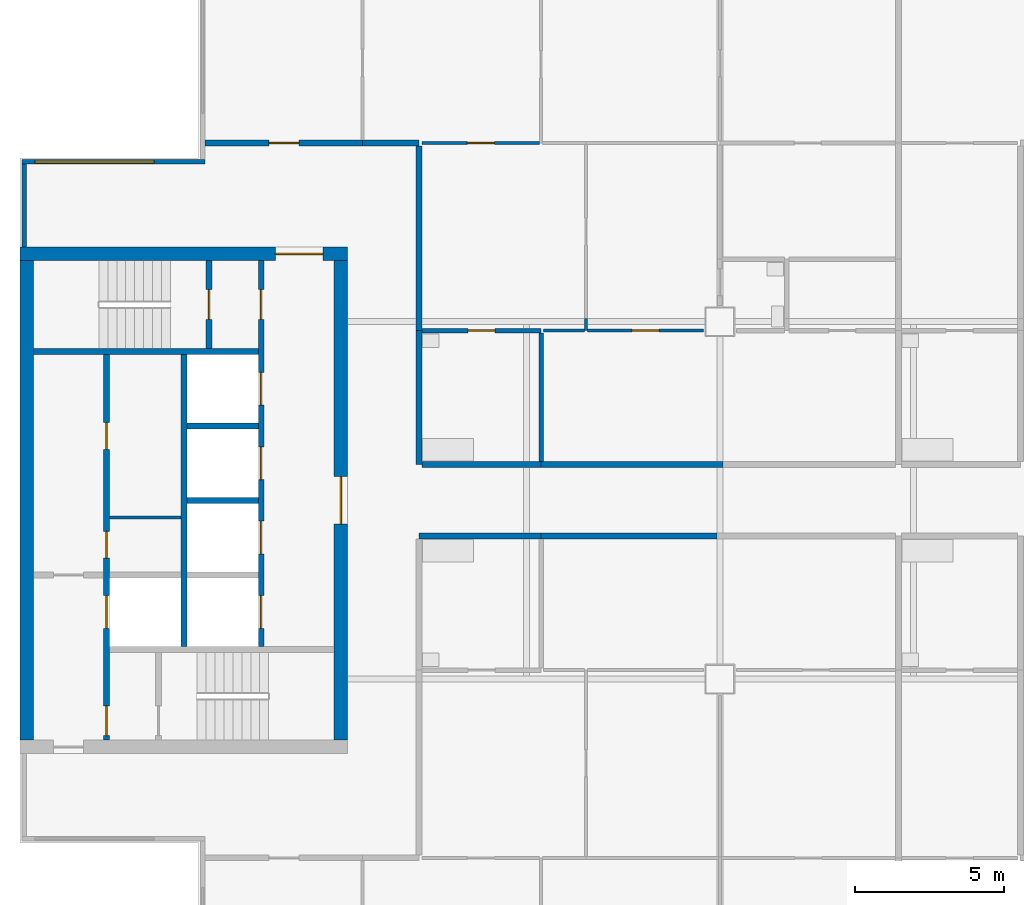
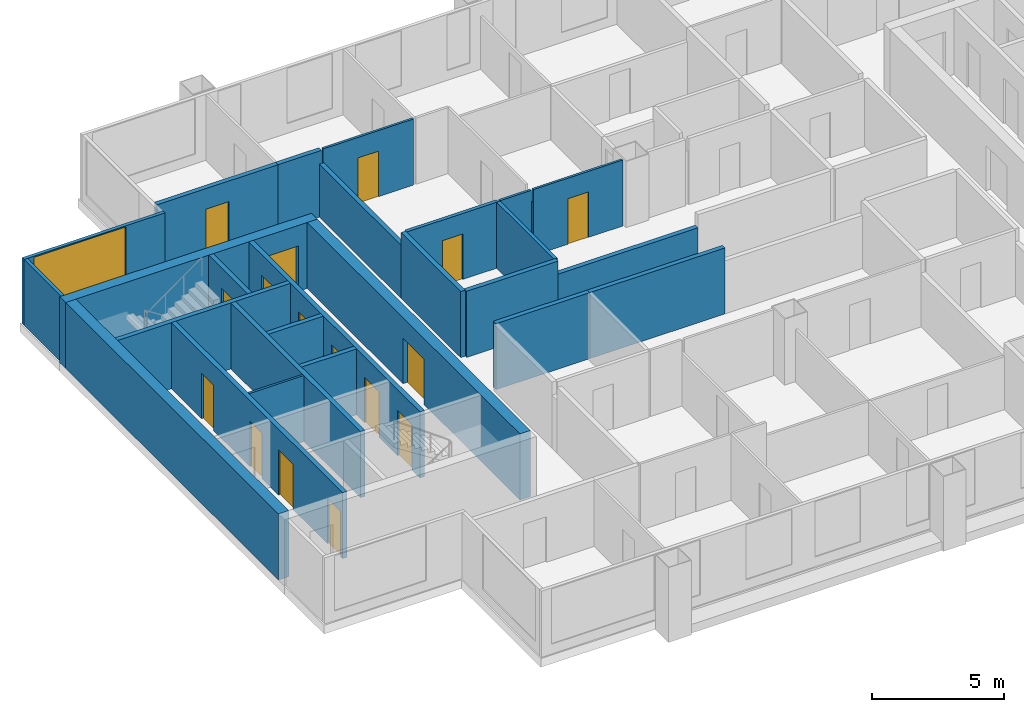
# One storey, part 3 of 8: 27 walls, 16 doors, 1 window, 17 openings.
"""IFC4 building model written with IfcOpenShell, lengths in metres."""

from ifc_helpers import new_model, si_unit, direction, frame, frame_2d, origin, place, context, subcontext, project, spatial, rectangle, extrude, material, layer, layer_set, type_object, element, fill, save


model = new_model("IFC4")

# Units and contexts
model_context = context("Model", 3, precision=1e-05, world=origin(), true_north=direction((0.0, 1.0)))
body_context = subcontext(model_context, "Body", "Model", "MODEL_VIEW")
ifc_project = project(units=[si_unit("LENGTHUNIT", "METRE"), si_unit("AREAUNIT", "SQUARE_METRE"), si_unit("VOLUMEUNIT", "CUBIC_METRE"), si_unit("PLANEANGLEUNIT", "RADIAN"), si_unit("MASSUNIT", "GRAM", prefix="KILO")], contexts=[model_context])

# Site, building, storey
site_placement = place(None, origin())
site = spatial("IfcSite", under=ifc_project, at=site_placement, CompositionType="ELEMENT")
building_placement = place(site_placement, origin())
building = spatial("IfcBuilding", under=site, at=building_placement, Name="Kitamizu Gate Tower and Museum", CompositionType="ELEMENT")
storey_placement = place(building_placement, frame((0.0, 0.0, 262.800048828125)))
storey = spatial("IfcBuildingStorey", under=building, at=storey_placement, Name="L71", CompositionType="ELEMENT", Elevation=262.800048828125)

# Wall, opening, door
ifc_material_1 = material(Name="Concrete Fc42", Category="concrete")
ifc_layer_1 = layer(ifc_material_1, 0.449951171875)
ifc_layer_set_1 = layer_set([ifc_layer_1], Name="Concrete Fc42")
wall_type_1 = type_object("IfcWallType", Name="Core wall 450 EI 90", PredefinedType="SHEAR", material=ifc_layer_set_1)
wall_1_placement = place(storey_placement, frame((12.5, 38.27490234375, 0.0), z_axis=(0.0, 0.0, 1.0), x_axis=(1.0, 0.0, 0.0)))
wall_1 = element("IfcWall", 1, at=wall_1_placement, inside=storey, type_object=wall_type_1, Name="Core wall WN", PredefinedType="SHEAR", context=body_context, shape_type="SweptSolid", body=[
    extrude(rectangle(XDim=11.0, YDim=0.449951171875, at=frame_2d((5.5, 0.0))), origin(), (0.0, 0.0, 1.0), 3.050048828125),
])
opening_1_placement = place(wall_1_placement, frame((8.574951171875, 0.0, 0.0)))
opening_1 = element("IfcOpeningElement", 2, at=opening_1_placement, cuts=wall_1, Name="Opening L71-035", PredefinedType="OPENING", context=body_context, shape_type="SweptSolid", body=[
    extrude(rectangle(XDim=1.60009765625, YDim=2.10009765625, at=frame_2d((0.800048828125, 1.050048828125))), frame((0.0, 0.23486328125, 0.0), z_axis=(0.0, -1.0, 0.0), x_axis=(1.0, 0.0, 0.0)), (0.0, 0.0, 1.0), 0.469970703125),
])
ifc_material_2 = material(Name="Timber door set", Category="wood")
door_type_1 = type_object("IfcDoorType", Name="Entrance door 1600", OperationType="DOUBLE_DOOR_SINGLE_SWING", PredefinedType="DOOR", material=ifc_material_2)
door_1_placement = place(opening_1_placement, origin())
door_1 = element("IfcDoor", 3, at=door_1_placement, inside=storey, type_object=door_type_1, Name="Lobby door L71-035", OperationType="DOUBLE_DOOR_SINGLE_SWING", OverallHeight=2.10009765625, OverallWidth=1.60009765625, PredefinedType="DOOR", context=body_context, shape_type="SweptSolid", body=[
    extrude(rectangle(XDim=1.60009765625, YDim=2.10009765625, at=frame_2d((0.800048828125, 1.050048828125))), frame((0.0, 0.02490234375, 0.0), z_axis=(0.0, -1.0, 0.0), x_axis=(1.0, 0.0, 0.0)), (0.0, 0.0, 1.0), 0.050048828125),
])
fill(opening_1, door_1)

# Wall
wall_2_placement = place(storey_placement, frame((12.72509765625, 21.949951171875, 0.0), z_axis=(0.0, 0.0, 1.0), x_axis=(0.0, 1.0, 0.0)))
element("IfcWall", 4, at=wall_2_placement, inside=storey, type_object=wall_type_1, Name="Core wall WOUT", PredefinedType="SHEAR", context=body_context, shape_type="SweptSolid", body=[
    extrude(rectangle(XDim=16.10009765625, YDim=0.449951171875, at=frame_2d((8.050048828125, 0.0))), origin(), (0.0, 0.0, 1.0), 3.050048828125),
])

# Wall, opening, door
wall_3_placement = place(storey_placement, frame((23.27490234375, 21.949951171875, 0.0), z_axis=(0.0, 0.0, 1.0), x_axis=(0.0, 1.0, 0.0)))
wall_3 = element("IfcWall", 5, at=wall_3_placement, inside=storey, type_object=wall_type_1, Name="Core wall WARC", PredefinedType="SHEAR", context=body_context, shape_type="SweptSolid", body=[
    extrude(rectangle(XDim=16.10009765625, YDim=0.449951171875, at=frame_2d((8.050048828125, 0.0))), origin(), (0.0, 0.0, 1.0), 3.050048828125),
])
opening_2_placement = place(wall_3_placement, frame((7.25, 0.0, 0.0)))
opening_2 = element("IfcOpeningElement", 6, at=opening_2_placement, cuts=wall_3, Name="Opening L71-036", PredefinedType="OPENING", context=body_context, shape_type="SweptSolid", body=[
    extrude(rectangle(XDim=1.60009765625, YDim=2.10009765625, at=frame_2d((0.800048828125, 1.050048828125))), frame((0.0, 0.23486328125, 0.0), z_axis=(0.0, -1.0, 0.0), x_axis=(1.0, 0.0, 0.0)), (0.0, 0.0, 1.0), 0.469970703125),
])
door_2_placement = place(opening_2_placement, origin())
door_2 = element("IfcDoor", 7, at=door_2_placement, inside=storey, type_object=door_type_1, Name="Lobby door L71-036", OperationType="DOUBLE_DOOR_SINGLE_SWING", OverallHeight=2.10009765625, OverallWidth=1.60009765625, PredefinedType="DOOR", context=body_context, shape_type="SweptSolid", body=[
    extrude(rectangle(XDim=1.60009765625, YDim=2.10009765625, at=frame_2d((0.800048828125, 1.050048828125))), frame((0.0, 0.02490234375, 0.0), z_axis=(0.0, -1.0, 0.0), x_axis=(1.0, 0.0, 0.0)), (0.0, 0.0, 1.0), 0.050048828125),
])
fill(opening_2, door_2)

# Wall
ifc_material_3 = material(Name="Gypsum board on galvanised stud")
ifc_layer_2 = layer(ifc_material_3, 0.10009765625)
ifc_layer_set_2 = layer_set([ifc_layer_2], Name="Gypsum board on galvanised stud")
wall_type_2 = type_object("IfcWallType", Name="Partition 100", PredefinedType="PARTITIONING", material=ifc_layer_set_2)
wall_4_placement = place(storey_placement, frame((15.5, 29.425048828125, 0.0), z_axis=(0.0, 0.0, 1.0), x_axis=(1.0, 0.0, 0.0)))
element("IfcWall", 8, at=wall_4_placement, inside=storey, type_object=wall_type_2, Name="Partition WPF1", PredefinedType="PARTITIONING", context=body_context, shape_type="SweptSolid", body=[
    extrude(rectangle(XDim=2.39990234375, YDim=0.10009765625, at=frame_2d((1.199951171875, 0.0))), origin(), (0.0, 0.0, 1.0), 3.050048828125),
])

# Wall, opening, door
ifc_material_4 = material(Name="Gypsum board on galvanised stud")
ifc_layer_3 = layer(ifc_material_4, 0.10009765625)
ifc_layer_set_3 = layer_set([ifc_layer_3], Name="Gypsum board on galvanised stud")
wall_type_3 = type_object("IfcWallType", Name="Partition 100 NOT RATED", PredefinedType="PARTITIONING", material=ifc_layer_set_3)
wall_5_placement = place(storey_placement, frame((26.0, 42.0, 0.0), z_axis=(0.0, 0.0, 1.0), x_axis=(1.0, 0.0, 0.0)))
wall_5 = element("IfcWall", 9, at=wall_5_placement, inside=storey, type_object=wall_type_3, Name="Partition L71-029", PredefinedType="PARTITIONING", context=body_context, shape_type="SweptSolid", body=[
    extrude(rectangle(XDim=3.949951171875, YDim=0.10009765625, at=frame_2d((1.97509765625, 0.0))), origin(), (0.0, 0.0, 1.0), 3.050048828125),
])
opening_3_placement = place(wall_5_placement, frame((1.52490234375, 0.0, 0.0)))
opening_3 = element("IfcOpeningElement", 10, at=opening_3_placement, cuts=wall_5, Name="Opening L71-014", PredefinedType="OPENING", context=body_context, shape_type="SweptSolid", body=[
    extrude(rectangle(XDim=0.89990234375, YDim=2.10009765625, at=frame_2d((0.449951171875, 1.050048828125))), frame((0.0, 0.06005859375, 0.0), z_axis=(0.0, -1.0, 0.0), x_axis=(1.0, 0.0, 0.0)), (0.0, 0.0, 1.0), 0.1201171875),
])
ifc_material_5 = material(Name="Timber door set", Category="wood")
door_type_2 = type_object("IfcDoorType", Name="Room door 900", OperationType="NOTDEFINED", PredefinedType="DOOR", material=ifc_material_5)
door_3_placement = place(opening_3_placement, origin())
door_3 = element("IfcDoor", 11, at=door_3_placement, inside=storey, type_object=door_type_2, Name="Door L71-014", OperationType="SINGLE_SWING_LEFT", OverallHeight=2.10009765625, OverallWidth=0.89990234375, PredefinedType="DOOR", context=body_context, shape_type="SweptSolid", body=[
    extrude(rectangle(XDim=0.89990234375, YDim=2.10009765625, at=frame_2d((0.449951171875, 1.050048828125))), frame((0.0, 0.02490234375, 0.0), z_axis=(0.0, -1.0, 0.0), x_axis=(1.0, 0.0, 0.0)), (0.0, 0.0, 1.0), 0.050048828125),
])
fill(opening_3, door_3)

# Walls
wall_6_placement = place(storey_placement, frame((31.5, 35.699951171875, 0.0), z_axis=(0.0, 0.0, 1.0), x_axis=(0.0, 1.0, 0.0)))
element("IfcWall", 12, at=wall_6_placement, inside=storey, type_object=wall_type_3, Name="Partition L71-036", PredefinedType="PARTITIONING", context=body_context, shape_type="SweptSolid", body=[
    extrude(rectangle(XDim=0.400146484375, YDim=0.10009765625, at=frame_2d((0.2001953125, 0.0))), origin(), (0.0, 0.0, 1.0), 2.449951171875),
])
wall_7_placement = place(storey_placement, frame((30.074951171875, 35.699951171875, 0.0), z_axis=(0.0, 0.0, 1.0), x_axis=(1.0, 0.0, 0.0)))
element("IfcWall", 13, at=wall_7_placement, inside=storey, type_object=wall_type_3, Name="Partition L71-039", PredefinedType="PARTITIONING", context=body_context, shape_type="SweptSolid", body=[
    extrude(rectangle(XDim=1.375, YDim=0.10009765625, at=frame_2d((0.6875, 0.0))), origin(), (0.0, 0.0, 1.0), 3.050048828125),
])

# Wall, opening, door
wall_8_placement = place(storey_placement, frame((31.550048828125, 35.699951171875, 0.0), z_axis=(0.0, 0.0, 1.0), x_axis=(1.0, 0.0, 0.0)))
wall_8 = element("IfcWall", 14, at=wall_8_placement, inside=storey, type_object=wall_type_3, Name="Partition L71-043", PredefinedType="PARTITIONING", context=body_context, shape_type="SweptSolid", body=[
    extrude(rectangle(XDim=3.89990234375, YDim=0.10009765625, at=frame_2d((1.949951171875, 0.0))), origin(), (0.0, 0.0, 1.0), 3.050048828125),
])
opening_4_placement = place(wall_8_placement, frame((1.5, 0.0, 0.0)))
opening_4 = element("IfcOpeningElement", 15, at=opening_4_placement, cuts=wall_8, Name="Opening L71-019", PredefinedType="OPENING", context=body_context, shape_type="SweptSolid", body=[
    extrude(rectangle(XDim=0.89990234375, YDim=2.10009765625, at=frame_2d((0.449951171875, 1.050048828125))), frame((0.0, 0.06005859375, 0.0), z_axis=(0.0, -1.0, 0.0), x_axis=(1.0, 0.0, 0.0)), (0.0, 0.0, 1.0), 0.1201171875),
])
door_4_placement = place(opening_4_placement, origin())
door_4 = element("IfcDoor", 16, at=door_4_placement, inside=storey, type_object=door_type_2, Name="Door L71-019", OperationType="SINGLE_SWING_RIGHT", OverallHeight=2.10009765625, OverallWidth=0.89990234375, PredefinedType="DOOR", context=body_context, shape_type="SweptSolid", body=[
    extrude(rectangle(XDim=0.89990234375, YDim=2.10009765625, at=frame_2d((0.449951171875, 1.050048828125))), frame((0.0, 0.02490234375, 0.0), z_axis=(0.0, -1.0, 0.0), x_axis=(1.0, 0.0, 0.0)), (0.0, 0.0, 1.0), 0.050048828125),
])
fill(opening_4, door_4)

ifc_material_6 = material(Name="Gypsum board on galvanised stud")
ifc_layer_4 = layer(ifc_material_6, 0.14990234375)
ifc_layer_set_4 = layer_set([ifc_layer_4], Name="Gypsum board on galvanised stud")
wall_type_4 = type_object("IfcWallType", Name="Partition 150", PredefinedType="PARTITIONING", material=ifc_layer_set_4)
wall_9_placement = place(storey_placement, frame((26.0, 35.699951171875, 0.0), z_axis=(0.0, 0.0, 1.0), x_axis=(1.0, 0.0, 0.0)))
wall_9 = element("IfcWall", 17, at=wall_9_placement, inside=storey, type_object=wall_type_4, Name="Partition L71-038", PredefinedType="PARTITIONING", context=body_context, shape_type="SweptSolid", body=[
    extrude(rectangle(XDim=4.0, YDim=0.14990234375, at=frame_2d((2.0, 0.0))), origin(), (0.0, 0.0, 1.0), 3.050048828125),
])
opening_5_placement = place(wall_9_placement, frame((1.550048828125, 0.0, 0.0)))
opening_5 = element("IfcOpeningElement", 18, at=opening_5_placement, cuts=wall_9, Name="Opening L71-018", PredefinedType="OPENING", context=body_context, shape_type="SweptSolid", body=[
    extrude(rectangle(XDim=0.89990234375, YDim=2.10009765625, at=frame_2d((0.449951171875, 1.050048828125))), frame((0.0, 0.0849609375, 0.0), z_axis=(0.0, -1.0, 0.0), x_axis=(1.0, 0.0, 0.0)), (0.0, 0.0, 1.0), 0.169921875),
])
ifc_material_7 = material(Name="Timber door set", Category="wood")
door_type_3 = type_object("IfcDoorType", Name="Bathroom door 900", OperationType="NOTDEFINED", PredefinedType="DOOR", material=ifc_material_7)
door_5_placement = place(opening_5_placement, frame((0.89990234375, 0.0, 0.0), x_axis=(-1.0, 0.0, 0.0)))
door_5 = element("IfcDoor", 19, at=door_5_placement, inside=storey, type_object=door_type_3, Name="Bathroom door L71-018", OperationType="SINGLE_SWING_RIGHT", OverallHeight=2.10009765625, OverallWidth=0.89990234375, PredefinedType="DOOR", context=body_context, shape_type="SweptSolid", body=[
    extrude(rectangle(XDim=0.89990234375, YDim=2.10009765625, at=frame_2d((0.449951171875, 1.050048828125))), frame((0.0, 0.02490234375, 0.0), z_axis=(0.0, -1.0, 0.0), x_axis=(1.0, 0.0, 0.0)), (0.0, 0.0, 1.0), 0.050048828125),
])
fill(opening_5, door_5)

# Walls
wall_10_placement = place(storey_placement, frame((30.0, 31.300048828125, 0.0), z_axis=(0.0, 0.0, 1.0), x_axis=(0.0, 1.0, 0.0)))
element("IfcWall", 20, at=wall_10_placement, inside=storey, type_object=wall_type_4, Name="Partition L71-053", PredefinedType="PARTITIONING", context=body_context, shape_type="SweptSolid", body=[
    extrude(rectangle(XDim=4.324951171875, YDim=0.14990234375, at=frame_2d((2.16259765625, 0.0))), origin(), (0.0, 0.0, 1.0), 3.050048828125),
])
ifc_material_8 = material(Name="Gypsum board on galvanised stud")
ifc_layer_5 = layer(ifc_material_8, 0.199951171875)
ifc_layer_set_5 = layer_set([ifc_layer_5], Name="Gypsum board on galvanised stud")
wall_type_5 = type_object("IfcWallType", Name="Partition 200", PredefinedType="PARTITIONING", material=ifc_layer_set_5)
wall_11_placement = place(storey_placement, frame((30.0, 28.800048828125, 0.0), z_axis=(0.0, 0.0, 1.0), x_axis=(-1.0, 0.0, 0.0)))
element("IfcWall", 21, at=wall_11_placement, inside=storey, type_object=wall_type_5, Name="Partition L71-021", PredefinedType="PARTITIONING", context=body_context, shape_type="SweptSolid", body=[
    extrude(rectangle(XDim=4.10009765625, YDim=0.199951171875, at=frame_2d((2.050048828125, 0.0))), origin(), (0.0, 0.0, 1.0), 3.050048828125),
])
wall_12_placement = place(storey_placement, frame((35.89990234375, 28.800048828125, 0.0), z_axis=(0.0, 0.0, 1.0), x_axis=(-1.0, 0.0, 0.0)))
element("IfcWall", 22, at=wall_12_placement, inside=storey, type_object=wall_type_5, Name="Partition L71-025", PredefinedType="PARTITIONING", context=body_context, shape_type="SweptSolid", body=[
    extrude(rectangle(XDim=5.89990234375, YDim=0.199951171875, at=frame_2d((2.949951171875, 0.0))), origin(), (0.0, 0.0, 1.0), 3.050048828125),
])

# Wall, opening, door
wall_13_placement = place(storey_placement, frame((18.719970703125, 42.0, 0.0), z_axis=(0.0, 0.0, 1.0), x_axis=(1.0, 0.0, 0.0)))
wall_13 = element("IfcWall", 23, at=wall_13_placement, inside=storey, type_object=wall_type_5, Name="Partition L71-027", PredefinedType="PARTITIONING", context=body_context, shape_type="SweptSolid", body=[
    extrude(rectangle(XDim=5.280029296875, YDim=0.199951171875, at=frame_2d((2.64013671875, 0.0))), origin(), (0.0, 0.0, 1.0), 3.050048828125),
])
opening_6_placement = place(wall_13_placement, frame((2.139892578125, 0.0, 0.0)))
opening_6 = element("IfcOpeningElement", 24, at=opening_6_placement, cuts=wall_13, Name="Opening L71-010", PredefinedType="OPENING", context=body_context, shape_type="SweptSolid", body=[
    extrude(rectangle(XDim=1.0, YDim=2.10009765625, at=frame_2d((0.5, 1.050048828125))), frame((0.0, 0.10986328125, 0.0), z_axis=(0.0, -1.0, 0.0), x_axis=(1.0, 0.0, 0.0)), (0.0, 0.0, 1.0), 0.219970703125),
])
ifc_material_9 = material(Name="Timber door set", Category="wood")
door_type_4 = type_object("IfcDoorType", Name="Flat entrance door 1000", OperationType="NOTDEFINED", PredefinedType="DOOR", material=ifc_material_9)
door_6_placement = place(opening_6_placement, origin())
door_6 = element("IfcDoor", 25, at=door_6_placement, inside=storey, type_object=door_type_4, Name="Flat entrance door L71-010", OperationType="SINGLE_SWING_LEFT", OverallHeight=2.10009765625, OverallWidth=1.0, PredefinedType="DOOR", context=body_context, shape_type="SweptSolid", body=[
    extrude(rectangle(XDim=1.0, YDim=2.10009765625, at=frame_2d((0.5, 1.050048828125))), frame((0.0, 0.02490234375, 0.0), z_axis=(0.0, -1.0, 0.0), x_axis=(1.0, 0.0, 0.0)), (0.0, 0.0, 1.0), 0.050048828125),
])
fill(opening_6, door_6)

# Walls
wall_14_placement = place(storey_placement, frame((24.0, 42.0, 0.0), z_axis=(0.0, 0.0, 1.0), x_axis=(1.0, 0.0, 0.0)))
element("IfcWall", 26, at=wall_14_placement, inside=storey, type_object=wall_type_5, Name="Partition L71-030", PredefinedType="PARTITIONING", context=body_context, shape_type="SweptSolid", body=[
    extrude(rectangle(XDim=1.89990234375, YDim=0.199951171875, at=frame_2d((0.949951171875, 0.0))), origin(), (0.0, 0.0, 1.0), 3.050048828125),
])
wall_15_placement = place(storey_placement, frame((25.89990234375, 41.89990234375, 0.0), z_axis=(0.0, 0.0, 1.0), x_axis=(0.0, -1.0, 0.0)))
element("IfcWall", 27, at=wall_15_placement, inside=storey, type_object=wall_type_5, Name="Partition L71-040", PredefinedType="PARTITIONING", context=body_context, shape_type="SweptSolid", body=[
    extrude(rectangle(XDim=6.199951171875, YDim=0.199951171875, at=frame_2d((3.10009765625, 0.0))), origin(), (0.0, 0.0, 1.0), 2.449951171875),
])
wall_16_placement = place(storey_placement, frame((25.89990234375, 35.699951171875, 0.0), z_axis=(0.0, 0.0, 1.0), x_axis=(0.0, -1.0, 0.0)))
element("IfcWall", 28, at=wall_16_placement, inside=storey, type_object=wall_type_5, Name="Partition L71-054", PredefinedType="PARTITIONING", context=body_context, shape_type="SweptSolid", body=[
    extrude(rectangle(XDim=4.5, YDim=0.199951171875, at=frame_2d((2.25, 0.0))), origin(), (0.0, 0.0, 1.0), 3.050048828125),
])
wall_17_placement = place(storey_placement, frame((26.0, 31.199951171875, 0.0), z_axis=(0.0, 0.0, 1.0), x_axis=(1.0, 0.0, 0.0)))
element("IfcWall", 29, at=wall_17_placement, inside=storey, type_object=wall_type_5, Name="Partition L71-055", PredefinedType="PARTITIONING", context=body_context, shape_type="SweptSolid", body=[
    extrude(rectangle(XDim=4.0, YDim=0.199951171875, at=frame_2d((2.0, 0.0))), origin(), (0.0, 0.0, 1.0), 3.050048828125),
])
wall_18_placement = place(storey_placement, frame((30.0, 31.199951171875, 0.0), z_axis=(0.0, 0.0, 1.0), x_axis=(1.0, 0.0, 0.0)))
element("IfcWall", 30, at=wall_18_placement, inside=storey, type_object=wall_type_5, Name="Partition L71-057", PredefinedType="PARTITIONING", context=body_context, shape_type="SweptSolid", body=[
    extrude(rectangle(XDim=6.10009765625, YDim=0.199951171875, at=frame_2d((3.050048828125, 0.0))), origin(), (0.0, 0.0, 1.0), 2.449951171875),
])

# Wall, openings, doors
ifc_material_10 = material(Name="Concrete Fc42", Category="concrete")
ifc_layer_6 = layer(ifc_material_10, 0.199951171875)
ifc_layer_set_6 = layer_set([ifc_layer_6], Name="Concrete Fc42")
wall_type_6 = type_object("IfcWallType", Name="Shaft wall 200", PredefinedType="SOLIDWALL", material=ifc_layer_set_6)
wall_19_placement = place(storey_placement, frame((15.39990234375, 21.949951171875, 0.0), z_axis=(0.0, 0.0, 1.0), x_axis=(0.0, 1.0, 0.0)))
wall_19 = element("IfcWall", 31, at=wall_19_placement, inside=storey, type_object=wall_type_6, Name="Shaft wall WWEST", PredefinedType="SOLIDWALL", context=body_context, shape_type="SweptSolid", body=[
    extrude(rectangle(XDim=12.949951171875, YDim=0.199951171875, at=frame_2d((6.47509765625, 0.0))), origin(), (0.0, 0.0, 1.0), 3.050048828125),
])
opening_7_placement = place(wall_19_placement, frame((3.75, 0.0, 0.0)))
opening_7 = element("IfcOpeningElement", 32, at=opening_7_placement, cuts=wall_19, Name="Opening LD", PredefinedType="OPENING", context=body_context, shape_type="SweptSolid", body=[
    extrude(rectangle(XDim=1.10009765625, YDim=2.10009765625, at=frame_2d((0.550048828125, 1.050048828125))), frame((0.0, 0.10986328125, 0.0), z_axis=(0.0, -1.0, 0.0), x_axis=(1.0, 0.0, 0.0)), (0.0, 0.0, 1.0), 0.219970703125),
])
opening_8_placement = place(wall_19_placement, frame((0.14990234375, 0.0, 0.0)))
opening_8 = element("IfcOpeningElement", 33, at=opening_8_placement, cuts=wall_19, Name="Opening L71-030", PredefinedType="OPENING", context=body_context, shape_type="SweptSolid", body=[
    extrude(rectangle(XDim=1.0, YDim=2.10009765625, at=frame_2d((0.5, 1.050048828125))), frame((0.0, 0.10986328125, 0.0), z_axis=(0.0, -1.0, 0.0), x_axis=(1.0, 0.0, 0.0)), (0.0, 0.0, 1.0), 0.219970703125),
])
opening_9_placement = place(wall_19_placement, frame((6.112548828125, 0.0, 0.0)))
opening_9 = element("IfcOpeningElement", 34, at=opening_9_placement, cuts=wall_19, Name="Opening L71-037", PredefinedType="OPENING", context=body_context, shape_type="SweptSolid", body=[
    extrude(rectangle(XDim=0.89990234375, YDim=2.10009765625, at=frame_2d((0.449951171875, 1.050048828125))), frame((0.0, 0.10986328125, 0.0), z_axis=(0.0, -1.0, 0.0), x_axis=(1.0, 0.0, 0.0)), (0.0, 0.0, 1.0), 0.219970703125),
])
opening_10_placement = place(wall_19_placement, frame((9.762451171875, 0.0, 0.0)))
opening_10 = element("IfcOpeningElement", 35, at=opening_10_placement, cuts=wall_19, Name="Opening L71-038", PredefinedType="OPENING", context=body_context, shape_type="SweptSolid", body=[
    extrude(rectangle(XDim=0.89990234375, YDim=2.10009765625, at=frame_2d((0.449951171875, 1.050048828125))), frame((0.0, 0.10986328125, 0.0), z_axis=(0.0, -1.0, 0.0), x_axis=(1.0, 0.0, 0.0)), (0.0, 0.0, 1.0), 0.219970703125),
])
ifc_material_11 = material(Name="Hollow metal door set")
door_type_5 = type_object("IfcDoorType", Name="Fire door 1000", OperationType="NOTDEFINED", PredefinedType="DOOR", material=ifc_material_11)
door_7_placement = place(opening_8_placement, frame((1.0, 0.0, 0.0), x_axis=(-1.0, 0.0, 0.0)))
door_7 = element("IfcDoor", 36, at=door_7_placement, inside=storey, type_object=door_type_5, Name="Stair lobby door L71-030", OperationType="SINGLE_SWING_LEFT", OverallHeight=2.10009765625, OverallWidth=1.0, PredefinedType="DOOR", context=body_context, shape_type="SweptSolid", body=[
    extrude(rectangle(XDim=1.0, YDim=2.10009765625, at=frame_2d((0.5, 1.050048828125))), frame((0.0, 0.02490234375, 0.0), z_axis=(0.0, -1.0, 0.0), x_axis=(1.0, 0.0, 0.0)), (0.0, 0.0, 1.0), 0.050048828125),
])
fill(opening_8, door_7)
ifc_material_12 = material(Name="Hollow metal door set")
door_type_6 = type_object("IfcDoorType", Name="Landing door 1100", OperationType="SLIDING_TO_LEFT", PredefinedType="DOOR", material=ifc_material_12)
door_8_placement = place(opening_7_placement, origin())
door_8 = element("IfcDoor", 37, at=door_8_placement, inside=storey, type_object=door_type_6, Name="Landing door WFF1", OperationType="SLIDING_TO_LEFT", OverallHeight=2.10009765625, OverallWidth=1.10009765625, PredefinedType="DOOR", context=body_context, shape_type="SweptSolid", body=[
    extrude(rectangle(XDim=1.10009765625, YDim=2.10009765625, at=frame_2d((0.550048828125, 1.050048828125))), frame((0.0, 0.02490234375, 0.0), z_axis=(0.0, -1.0, 0.0), x_axis=(1.0, 0.0, 0.0)), (0.0, 0.0, 1.0), 0.050048828125),
])
fill(opening_7, door_8)
ifc_material_13 = material(Name="Timber door set", Category="wood")
door_type_7 = type_object("IfcDoorType", Name="Service door 900", OperationType="NOTDEFINED", PredefinedType="DOOR", material=ifc_material_13)
door_9_placement = place(opening_9_placement, frame((0.89990234375, 0.0, 0.0), x_axis=(-1.0, 0.0, 0.0)))
door_9 = element("IfcDoor", 38, at=door_9_placement, inside=storey, type_object=door_type_7, Name="Service door L71-037", OperationType="SINGLE_SWING_LEFT", OverallHeight=2.10009765625, OverallWidth=0.89990234375, PredefinedType="DOOR", context=body_context, shape_type="SweptSolid", body=[
    extrude(rectangle(XDim=0.89990234375, YDim=2.10009765625, at=frame_2d((0.449951171875, 1.050048828125))), frame((0.0, 0.02490234375, 0.0), z_axis=(0.0, -1.0, 0.0), x_axis=(1.0, 0.0, 0.0)), (0.0, 0.0, 1.0), 0.050048828125),
])
fill(opening_9, door_9)
door_10_placement = place(opening_10_placement, frame((0.89990234375, 0.0, 0.0), x_axis=(-1.0, 0.0, 0.0)))
door_10 = element("IfcDoor", 39, at=door_10_placement, inside=storey, type_object=door_type_7, Name="Service door L71-038", OperationType="SINGLE_SWING_RIGHT", OverallHeight=2.10009765625, OverallWidth=0.89990234375, PredefinedType="DOOR", context=body_context, shape_type="SweptSolid", body=[
    extrude(rectangle(XDim=0.89990234375, YDim=2.10009765625, at=frame_2d((0.449951171875, 1.050048828125))), frame((0.0, 0.02490234375, 0.0), z_axis=(0.0, -1.0, 0.0), x_axis=(1.0, 0.0, 0.0)), (0.0, 0.0, 1.0), 0.050048828125),
])
fill(opening_10, door_10)

wall_20_placement = place(storey_placement, frame((20.60009765625, 25.10009765625, 0.0), z_axis=(0.0, 0.0, 1.0), x_axis=(0.0, 1.0, 0.0)))
wall_20 = element("IfcWall", 40, at=wall_20_placement, inside=storey, type_object=wall_type_6, Name="Shaft wall WEAST", PredefinedType="SOLIDWALL", context=body_context, shape_type="SweptSolid", body=[
    extrude(rectangle(XDim=12.949951171875, YDim=0.199951171875, at=frame_2d((6.47509765625, 0.0))), origin(), (0.0, 0.0, 1.0), 3.050048828125),
])
opening_11_placement = place(wall_20_placement, frame((0.60009765625, 0.0, 0.0)))
opening_11 = element("IfcOpeningElement", 41, at=opening_11_placement, cuts=wall_20, Name="Opening LD", PredefinedType="OPENING", context=body_context, shape_type="SweptSolid", body=[
    extrude(rectangle(XDim=1.10009765625, YDim=2.10009765625, at=frame_2d((0.550048828125, 1.050048828125))), frame((0.0, 0.10986328125, 0.0), z_axis=(0.0, -1.0, 0.0), x_axis=(1.0, 0.0, 0.0)), (0.0, 0.0, 1.0), 0.219970703125),
])
opening_12_placement = place(wall_20_placement, frame((3.10009765625, 0.0, 0.0)))
opening_12 = element("IfcOpeningElement", 42, at=opening_12_placement, cuts=wall_20, Name="Opening LD", PredefinedType="OPENING", context=body_context, shape_type="SweptSolid", body=[
    extrude(rectangle(XDim=1.10009765625, YDim=2.10009765625, at=frame_2d((0.550048828125, 1.050048828125))), frame((0.0, 0.10986328125, 0.0), z_axis=(0.0, -1.0, 0.0), x_axis=(1.0, 0.0, 0.0)), (0.0, 0.0, 1.0), 0.219970703125),
])
opening_13_placement = place(wall_20_placement, frame((5.60009765625, 0.0, 0.0)))
opening_13 = element("IfcOpeningElement", 43, at=opening_13_placement, cuts=wall_20, Name="Opening LD", PredefinedType="OPENING", context=body_context, shape_type="SweptSolid", body=[
    extrude(rectangle(XDim=1.10009765625, YDim=2.10009765625, at=frame_2d((0.550048828125, 1.050048828125))), frame((0.0, 0.10986328125, 0.0), z_axis=(0.0, -1.0, 0.0), x_axis=(1.0, 0.0, 0.0)), (0.0, 0.0, 1.0), 0.219970703125),
])
opening_14_placement = place(wall_20_placement, frame((8.10009765625, 0.0, 0.0)))
opening_14 = element("IfcOpeningElement", 44, at=opening_14_placement, cuts=wall_20, Name="Opening LD", PredefinedType="OPENING", context=body_context, shape_type="SweptSolid", body=[
    extrude(rectangle(XDim=1.10009765625, YDim=2.10009765625, at=frame_2d((0.550048828125, 1.050048828125))), frame((0.0, 0.10986328125, 0.0), z_axis=(0.0, -1.0, 0.0), x_axis=(1.0, 0.0, 0.0)), (0.0, 0.0, 1.0), 0.219970703125),
])
opening_15_placement = place(wall_20_placement, frame((10.97509765625, 0.0, 0.0)))
opening_15 = element("IfcOpeningElement", 45, at=opening_15_placement, cuts=wall_20, Name="Opening L71-031", PredefinedType="OPENING", context=body_context, shape_type="SweptSolid", body=[
    extrude(rectangle(XDim=1.0, YDim=2.10009765625, at=frame_2d((0.5, 1.050048828125))), frame((0.0, 0.10986328125, 0.0), z_axis=(0.0, -1.0, 0.0), x_axis=(1.0, 0.0, 0.0)), (0.0, 0.0, 1.0), 0.219970703125),
])
door_11_placement = place(opening_15_placement, origin())
door_11 = element("IfcDoor", 46, at=door_11_placement, inside=storey, type_object=door_type_5, Name="Stair lobby door L71-031", OperationType="SINGLE_SWING_RIGHT", OverallHeight=2.10009765625, OverallWidth=1.0, PredefinedType="DOOR", context=body_context, shape_type="SweptSolid", body=[
    extrude(rectangle(XDim=1.0, YDim=2.10009765625, at=frame_2d((0.5, 1.050048828125))), frame((0.0, 0.02490234375, 0.0), z_axis=(0.0, -1.0, 0.0), x_axis=(1.0, 0.0, 0.0)), (0.0, 0.0, 1.0), 0.050048828125),
])
fill(opening_15, door_11)
door_12_placement = place(opening_11_placement, origin())
door_12 = element("IfcDoor", 47, at=door_12_placement, inside=storey, type_object=door_type_6, Name="Landing door WSV1", OperationType="SLIDING_TO_LEFT", OverallHeight=2.10009765625, OverallWidth=1.10009765625, PredefinedType="DOOR", context=body_context, shape_type="SweptSolid", body=[
    extrude(rectangle(XDim=1.10009765625, YDim=2.10009765625, at=frame_2d((0.550048828125, 1.050048828125))), frame((0.0, 0.02490234375, 0.0), z_axis=(0.0, -1.0, 0.0), x_axis=(1.0, 0.0, 0.0)), (0.0, 0.0, 1.0), 0.050048828125),
])
fill(opening_11, door_12)
door_13_placement = place(opening_12_placement, origin())
door_13 = element("IfcDoor", 48, at=door_13_placement, inside=storey, type_object=door_type_6, Name="Landing door WH1", OperationType="SLIDING_TO_LEFT", OverallHeight=2.10009765625, OverallWidth=1.10009765625, PredefinedType="DOOR", context=body_context, shape_type="SweptSolid", body=[
    extrude(rectangle(XDim=1.10009765625, YDim=2.10009765625, at=frame_2d((0.550048828125, 1.050048828125))), frame((0.0, 0.02490234375, 0.0), z_axis=(0.0, -1.0, 0.0), x_axis=(1.0, 0.0, 0.0)), (0.0, 0.0, 1.0), 0.050048828125),
])
fill(opening_12, door_13)
door_14_placement = place(opening_13_placement, origin())
door_14 = element("IfcDoor", 49, at=door_14_placement, inside=storey, type_object=door_type_6, Name="Landing door WH2", OperationType="SLIDING_TO_LEFT", OverallHeight=2.10009765625, OverallWidth=1.10009765625, PredefinedType="DOOR", context=body_context, shape_type="SweptSolid", body=[
    extrude(rectangle(XDim=1.10009765625, YDim=2.10009765625, at=frame_2d((0.550048828125, 1.050048828125))), frame((0.0, 0.02490234375, 0.0), z_axis=(0.0, -1.0, 0.0), x_axis=(1.0, 0.0, 0.0)), (0.0, 0.0, 1.0), 0.050048828125),
])
fill(opening_13, door_14)
door_15_placement = place(opening_14_placement, origin())
door_15 = element("IfcDoor", 50, at=door_15_placement, inside=storey, type_object=door_type_6, Name="Landing door WH3", OperationType="SLIDING_TO_LEFT", OverallHeight=2.10009765625, OverallWidth=1.10009765625, PredefinedType="DOOR", context=body_context, shape_type="SweptSolid", body=[
    extrude(rectangle(XDim=1.10009765625, YDim=2.10009765625, at=frame_2d((0.550048828125, 1.050048828125))), frame((0.0, 0.02490234375, 0.0), z_axis=(0.0, -1.0, 0.0), x_axis=(1.0, 0.0, 0.0)), (0.0, 0.0, 1.0), 0.050048828125),
])
fill(opening_14, door_15)

# Walls
wall_21_placement = place(storey_placement, frame((18.0, 25.10009765625, 0.0), z_axis=(0.0, 0.0, 1.0), x_axis=(0.0, 1.0, 0.0)))
element("IfcWall", 51, at=wall_21_placement, inside=storey, type_object=wall_type_6, Name="Shaft wall WMID", PredefinedType="SOLIDWALL", context=body_context, shape_type="SweptSolid", body=[
    extrude(rectangle(XDim=9.7998046875, YDim=0.199951171875, at=frame_2d((4.89990234375, 0.0))), origin(), (0.0, 0.0, 1.0), 3.050048828125),
])
wall_22_placement = place(storey_placement, frame((12.949951171875, 35.0, 0.0), z_axis=(0.0, 0.0, 1.0), x_axis=(1.0, 0.0, 0.0)))
element("IfcWall", 52, at=wall_22_placement, inside=storey, type_object=wall_type_6, Name="Shaft wall WNB", PredefinedType="SOLIDWALL", context=body_context, shape_type="SweptSolid", body=[
    extrude(rectangle(XDim=7.550048828125, YDim=0.199951171875, at=frame_2d((3.77490234375, 0.0))), origin(), (0.0, 0.0, 1.0), 3.050048828125),
])

# Wall, opening, door
wall_23_placement = place(storey_placement, frame((18.85009765625, 35.10009765625, 0.0), z_axis=(0.0, 0.0, 1.0), x_axis=(0.0, 1.0, 0.0)))
wall_23 = element("IfcWall", 53, at=wall_23_placement, inside=storey, type_object=wall_type_6, Name="Shaft wall WNZ", PredefinedType="SOLIDWALL", context=body_context, shape_type="SweptSolid", body=[
    extrude(rectangle(XDim=2.949951171875, YDim=0.199951171875, at=frame_2d((1.47509765625, 0.0))), origin(), (0.0, 0.0, 1.0), 3.050048828125),
])
opening_16_placement = place(wall_23_placement, frame((0.97509765625, 0.0, 0.0)))
opening_16 = element("IfcOpeningElement", 54, at=opening_16_placement, cuts=wall_23, Name="Opening L71-032", PredefinedType="OPENING", context=body_context, shape_type="SweptSolid", body=[
    extrude(rectangle(XDim=1.0, YDim=2.10009765625, at=frame_2d((0.5, 1.050048828125))), frame((0.0, 0.10986328125, 0.0), z_axis=(0.0, -1.0, 0.0), x_axis=(1.0, 0.0, 0.0)), (0.0, 0.0, 1.0), 0.219970703125),
])
door_16_placement = place(opening_16_placement, origin())
door_16 = element("IfcDoor", 55, at=door_16_placement, inside=storey, type_object=door_type_5, Name="Stair door L71-032", OperationType="SINGLE_SWING_LEFT", OverallHeight=2.10009765625, OverallWidth=1.0, PredefinedType="DOOR", context=body_context, shape_type="SweptSolid", body=[
    extrude(rectangle(XDim=1.0, YDim=2.10009765625, at=frame_2d((0.5, 1.050048828125))), frame((0.0, 0.02490234375, 0.0), z_axis=(0.0, -1.0, 0.0), x_axis=(1.0, 0.0, 0.0)), (0.0, 0.0, 1.0), 0.050048828125),
])
fill(opening_16, door_16)

# Walls
for number, where, z_axis, x_axis, name in (
    (56, (18.10009765625, 30.0, 0.0), (0.0, 0.0, 1.0), (1.0, 0.0, 0.0), "Shaft wall WDVE1"),
    (57, (18.10009765625, 32.5, 0.0), (0.0, 0.0, 1.0), (1.0, 0.0, 0.0), "Shaft wall WDVE2"),
):
    element("IfcWall", number, at=place(storey_placement, frame(where, z_axis=z_axis, x_axis=x_axis)), inside=storey, type_object=wall_type_6, Name=name, PredefinedType="SOLIDWALL", context=body_context, shape_type="SweptSolid", body=[
        extrude(rectangle(XDim=2.39990234375, YDim=0.199951171875, at=frame_2d((1.199951171875, 0.0))), origin(), (0.0, 0.0, 1.0), 3.050048828125),
    ])

# Wall, opening, window
ifc_material_14 = material(Name="Bronze anodised aluminium frame with insulated spandrel and tinted glass", Category="aluminium")
ifc_layer_7 = layer(ifc_material_14, 0.14990234375)
ifc_layer_set_7 = layer_set([ifc_layer_7], Name="Bronze anodised aluminium frame with insulated spandrel and tinted glass")
wall_type_7 = type_object("IfcWallType", Name="WINDOW WALL 150 BRONZE FRAME EI 30", PredefinedType="ELEMENTEDWALL", material=ifc_layer_set_7)
wall_24_placement = place(storey_placement, frame((12.56005859375, 41.364990234375, 0.0), z_axis=(0.0, 0.0, 1.0), x_axis=(1.0, 0.0, 0.0)))
wall_24 = element("IfcWall", 58, at=wall_24_placement, inside=storey, type_object=wall_type_7, Name="Window wall north L71", PredefinedType="ELEMENTEDWALL", context=body_context, shape_type="SweptSolid", body=[
    extrude(rectangle(XDim=6.14990234375, YDim=0.14990234375, at=frame_2d((3.074951171875, 0.0))), origin(), (0.0, 0.0, 1.0), 3.050048828125),
])
opening_17_placement = place(wall_24_placement, frame((0.43994140625, 0.0, 0.449951171875)))
opening_17 = element("IfcOpeningElement", 59, at=opening_17_placement, cuts=wall_24, Name="Opening W16", PredefinedType="OPENING", context=body_context, shape_type="SweptSolid", body=[
    extrude(rectangle(XDim=4.0, YDim=2.550048828125, at=frame_2d((2.0, 1.27490234375))), frame((0.0, 0.0849609375, 0.0), z_axis=(0.0, -1.0, 0.0), x_axis=(1.0, 0.0, 0.0)), (0.0, 0.0, 1.0), 0.169921875),
])
ifc_material_15 = material(Name="Bronze anodised aluminium frame, tinted triple glazing", Category="aluminium")
window_type = type_object("IfcWindowType", Name="WINDOW 4000 x 2550 SILL 450", PartitioningType="SINGLE_PANEL", PredefinedType="WINDOW", material=ifc_material_15)
window_placement = place(opening_17_placement, origin())
window = element("IfcWindow", 60, at=window_placement, inside=storey, type_object=window_type, Name="Window W16 L71", OverallHeight=2.550048828125, OverallWidth=4.0, PartitioningType="SINGLE_PANEL", PredefinedType="WINDOW", context=body_context, shape_type="SweptSolid", body=[
    extrude(rectangle(XDim=4.0, YDim=2.550048828125, at=frame_2d((2.0, 1.27490234375))), frame((0.0, 0.030029296875, 0.0), z_axis=(0.0, -1.0, 0.0), x_axis=(1.0, 0.0, 0.0)), (0.0, 0.0, 1.0), 0.06005859375),
])
fill(opening_17, window)

# Wall
wall_25_placement = place(storey_placement, frame((12.635009765625, 38.5, 0.0), z_axis=(0.0, 0.0, 1.0), x_axis=(0.0, 1.0, 0.0)))
element("IfcWall", 61, at=wall_25_placement, inside=storey, type_object=wall_type_7, Name="Window wall west L71", PredefinedType="ELEMENTEDWALL", context=body_context, shape_type="SweptSolid", body=[
    extrude(rectangle(XDim=2.7900390625, YDim=0.14990234375, at=frame_2d((1.39501953125, 0.0))), origin(), (0.0, 0.0, 1.0), 3.050048828125),
])

save(model, "model.ifc")
